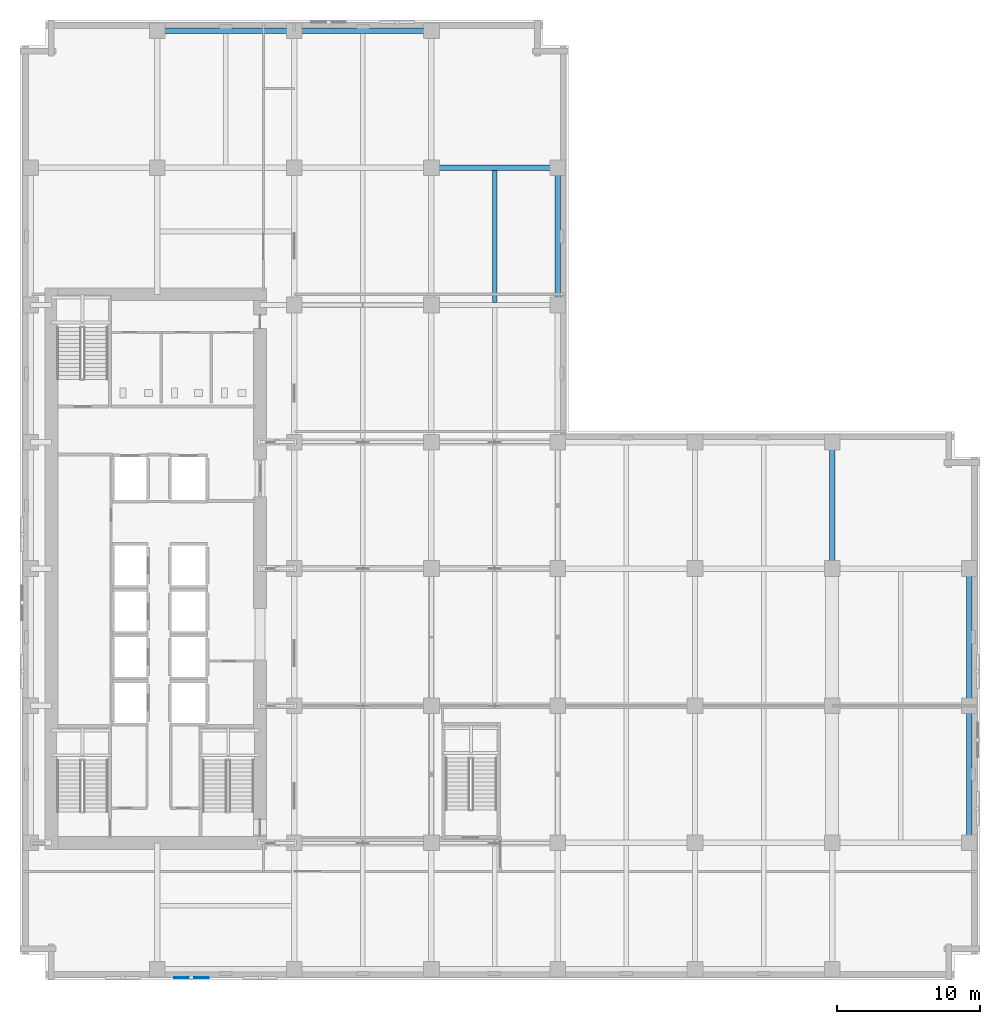
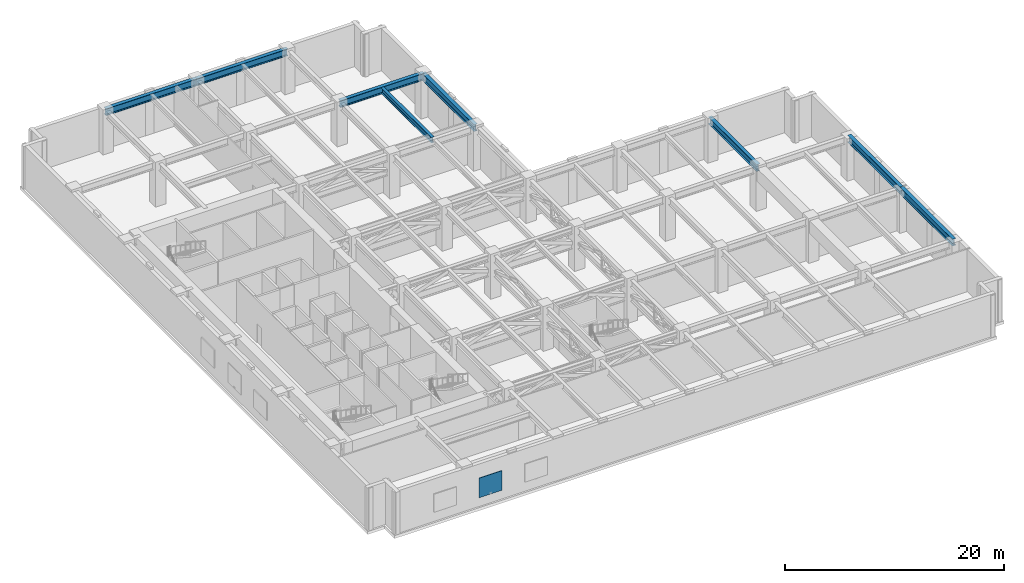
# One storey, part 9 of 22: 8 beams, 1 plate.
"""IFC4 building model written with IfcOpenShell, lengths in metres."""

import ifcopenshell
import ifcopenshell.guid

model = None  # the IFC model being written
_history = None  # IfcOwnerHistory: only IFC2X3 demands one
_inside = {}  # id of a spatial element -> (the spatial element, [elements in it])
_under = {}  # id of a project, library or spatial element -> (it, [spatial elements below it])
_declared = {}  # id of a project -> (the project, [libraries it declares])
_typed = {}  # id of a type object -> (the type object, [elements of that type])
_made_of = {}  # id of a material, layer set ... -> (it, [elements and type objects made of it])


def new_model(schema):
    """Start an empty IFC model of exactly this schema.

    Asked for "IFC4X3", IfcOpenShell would pick the latest addendum, in which some entities
    have other attributes; the version numbers below select the first issue.
    IFC2X3 requires an IfcOwnerHistory on every rooted entity: one is made here for all.
    """
    global model, _history
    if schema == "IFC4X3":
        model = ifcopenshell.file(schema_version=(4, 3, 0, 0))
    else:
        model = ifcopenshell.file(schema=schema)
    _inside.clear()
    _under.clear()
    _declared.clear()
    _typed.clear()
    _made_of.clear()
    _history = None
    if model.schema == "IFC2X3":
        org = make("IfcOrganization", Name="unknown")
        user = make(
            "IfcPersonAndOrganization",
            ThePerson=make("IfcPerson", FamilyName="unknown"),
            TheOrganization=org,
        )
        app = make(
            "IfcApplication",
            ApplicationDeveloper=org,
            Version="unknown",
            ApplicationFullName="unknown",
            ApplicationIdentifier="unknown",
        )
        _history = make(
            "IfcOwnerHistory",
            OwningUser=user,
            OwningApplication=app,
            ChangeAction="ADDED",
            CreationDate=0,
        )
    return model


def make(cls, **values):
    """One entity of the class cls with the attributes given. An attribute that is None is left unset."""
    return model.create_entity(
        cls, **{name: value for name, value in values.items() if value is not None}
    )


def rooted(cls, **values):
    """An entity with a GlobalId (a new one), such as an element, a storey or a relation."""
    return make(cls, GlobalId=ifcopenshell.guid.new(), OwnerHistory=_history, **values)


def si_unit(unit_type, name, prefix=None):
    """IfcSIUnit, for example si_unit("LENGTHUNIT", "METRE", prefix="MILLI")."""
    return make("IfcSIUnit", UnitType=unit_type, Prefix=prefix, Name=name)


def assignment(units):
    """IfcUnitAssignment: the units of a project."""
    return None if units is None else make("IfcUnitAssignment", Units=units)


def point(xyz):
    """IfcCartesianPoint."""
    return None if xyz is None else make("IfcCartesianPoint", Coordinates=xyz)


def direction(xyz):
    """IfcDirection."""
    return None if xyz is None else make("IfcDirection", DirectionRatios=xyz)


def frame(location, z_axis=None, x_axis=None):
    """IfcAxis2Placement3D, a coordinate frame: its origin and axes. An axis left out is left unset."""
    return make(
        "IfcAxis2Placement3D",
        Location=point(location),
        Axis=direction(z_axis),
        RefDirection=direction(x_axis),
    )


def frame_2d(location, x_axis=None):
    """IfcAxis2Placement2D, a coordinate frame in the plane: its origin and x axis."""
    return make(
        "IfcAxis2Placement2D", Location=point(location), RefDirection=direction(x_axis)
    )


def origin():
    """The frame at (0, 0, 0) with its axes left unset."""
    return frame((0.0, 0.0, 0.0))


def origin_2d():
    """The frame at (0, 0) in the plane with its x axis left unset."""
    return frame_2d((0.0, 0.0))


def place(relative_to, where):
    """IfcLocalPlacement: puts the frame where relative to a parent placement (None: the world)."""
    return make(
        "IfcLocalPlacement", PlacementRelTo=relative_to, RelativePlacement=where
    )


def context(
    kind, dimensions, precision=None, world=None, true_north=None, identifier=None
):
    """IfcGeometricRepresentationContext, for example the 3D "Model" context."""
    return make(
        "IfcGeometricRepresentationContext",
        ContextIdentifier=identifier,
        ContextType=kind,
        CoordinateSpaceDimension=dimensions,
        Precision=precision,
        WorldCoordinateSystem=world,
        TrueNorth=true_north,
    )


def subcontext(parent, identifier, kind, view, scale=None):
    """IfcGeometricRepresentationSubContext, for example "Body" below "Model"."""
    return make(
        "IfcGeometricRepresentationSubContext",
        ContextIdentifier=identifier,
        ContextType=kind,
        ParentContext=parent,
        TargetScale=scale,
        TargetView=view,
    )


def project(units=None, contexts=None):
    """IfcProject with its units and contexts."""
    return rooted(
        "IfcProject",
        Name="project",
        RepresentationContexts=contexts,
        UnitsInContext=assignment(units),
    )


def spatial(cls, under=None, at=None, **own):
    """A site, building, storey or space (cls), placed at a placement, below another one or the project."""
    s = rooted(cls, ObjectPlacement=at, **own)
    if under is not None:
        _under.setdefault(under.id(), (under, []))[1].append(s)
    return s


def profile(cls, at=None, kind="AREA", **sizes):
    """A parametric profile (cls). Its sizes go by their IFC names, for example OverallWidth=200.0."""
    return make(cls, ProfileType=kind, Position=at, **sizes)


def rectangle(**sizes):
    """IfcRectangleProfileDef."""
    return profile("IfcRectangleProfileDef", **sizes)


def i_section(**sizes):
    """IfcIShapeProfileDef."""
    return profile("IfcIShapeProfileDef", **sizes)


def extrude(swept, where, along, depth):
    """IfcExtrudedAreaSolid: the profile swept, set in the frame where, extruded along a direction by depth."""
    return make(
        "IfcExtrudedAreaSolid",
        SweptArea=swept,
        Position=where,
        ExtrudedDirection=direction(along),
        Depth=depth,
    )


def shape(context_of_items, identifier, shape_type, items):
    """IfcShapeRepresentation: the items that make up one representation, for example the "Body"."""
    return make(
        "IfcShapeRepresentation",
        ContextOfItems=context_of_items,
        RepresentationIdentifier=identifier,
        RepresentationType=shape_type,
        Items=items,
    )


def material(Name=None, Category=None):
    """IfcMaterial."""
    return make("IfcMaterial", Name=Name, Category=Category)


def layer(
    of_material, thickness, ventilated=None, Name=None, Category=None, Priority=None
):
    """IfcMaterialLayer: one layer of a wall or slab, of a material (None: an air gap)."""
    return make(
        "IfcMaterialLayer",
        Material=of_material,
        LayerThickness=thickness,
        IsVentilated=ventilated,
        Name=Name,
        Category=Category,
        Priority=Priority,
    )


def layer_set(layers, Name=None):
    """IfcMaterialLayerSet."""
    return make("IfcMaterialLayerSet", MaterialLayers=layers, LayerSetName=Name)


def material_profile(
    of_material, cross_section, Name=None, Category=None, Priority=None
):
    """IfcMaterialProfile: a cross section and its material."""
    return make(
        "IfcMaterialProfile",
        Name=Name,
        Material=of_material,
        Profile=cross_section,
        Priority=Priority,
        Category=Category,
    )


def profile_set(profiles, Name=None, composite=None):
    """IfcMaterialProfileSet."""
    return make(
        "IfcMaterialProfileSet",
        Name=Name,
        MaterialProfiles=profiles,
        CompositeProfile=composite,
    )


def made_of(thing, what):
    """Note that an element or type object is made of a material, layer set ...; save() writes the relation."""
    if what is not None:
        _made_of.setdefault(what.id(), (what, []))[1].append(thing)
    return thing


def type_object(cls, material=None, **own):
    """A type object (cls), such as IfcWallType, which elements share."""
    return made_of(rooted(cls, **own), material)


def element(
    cls,
    number,
    at=None,
    inside=None,
    cuts=None,
    type_object=None,
    material=None,
    context=None,
    identifier="Body",
    shape_type=None,
    held_by="IfcProductDefinitionShape",
    body=None,
    shapes=None,
    **own,
):
    """One element of the class cls, such as IfcWall. Its Tag is "e" and its number.

    at: its placement. inside: the storey or other place that contains it. cuts: it is an
    opening in that element (IfcRelVoidsElement). A single representation is given by context,
    identifier, shape_type and body (its items); several are given by shapes. held_by: the class
    of the entity that holds the representations. save() writes the other relations.
    """
    e = rooted(cls, Tag="e%d" % number, ObjectPlacement=at, **own)
    if body is not None:
        shapes = [shape(context, identifier, shape_type, body)]
    if shapes is not None:
        e.Representation = make(held_by, Representations=shapes)
    if inside is not None:
        _inside.setdefault(inside.id(), (inside, []))[1].append(e)
    if cuts is not None:
        rooted(
            "IfcRelVoidsElement", RelatingBuildingElement=cuts, RelatedOpeningElement=e
        )
    if type_object is not None:
        _typed.setdefault(type_object.id(), (type_object, []))[1].append(e)
    return made_of(e, material)


def aggregate(whole, parts):
    """IfcRelAggregates: a whole, such as a stair, and the parts it consists of."""
    return rooted("IfcRelAggregates", RelatingObject=whole, RelatedObjects=parts)


def save(model, path):
    """Write the relations noted so far, then the file.

    IfcRelAggregates (storeys below a building ...), IfcRelContainedInSpatialStructure (elements
    in a storey), IfcRelDefinesByType, IfcRelAssociatesMaterial and IfcRelDeclares: one each for
    every whole, place, type object, material and project.
    """
    for whole, parts in _under.values():
        aggregate(whole, parts)
    for where, things in _inside.values():
        rooted(
            "IfcRelContainedInSpatialStructure",
            RelatedElements=things,
            RelatingStructure=where,
        )
    for kind, things in _typed.values():
        rooted("IfcRelDefinesByType", RelatedObjects=things, RelatingType=kind)
    for what, things in _made_of.values():
        rooted("IfcRelAssociatesMaterial", RelatedObjects=things, RelatingMaterial=what)
    for by, libraries in _declared.values():
        rooted("IfcRelDeclares", RelatingContext=by, RelatedDefinitions=libraries)
    model.write(path)


model = new_model("IFC4")

# Units and contexts
model_context = context("Model", 3, precision=1e-05, world=origin(), true_north=direction((0.0, 1.0)))
body_context = subcontext(model_context, "Body", "Model", "MODEL_VIEW")
ifc_project = project(units=[si_unit("LENGTHUNIT", "METRE"), si_unit("AREAUNIT", "SQUARE_METRE"), si_unit("VOLUMEUNIT", "CUBIC_METRE"), si_unit("PLANEANGLEUNIT", "RADIAN"), si_unit("MASSUNIT", "GRAM", prefix="KILO")], contexts=[model_context])

# Site, building, storey
site_placement = place(None, origin())
site = spatial("IfcSite", under=ifc_project, at=site_placement, CompositionType="ELEMENT")
building_placement = place(site_placement, origin())
building = spatial("IfcBuilding", under=site, at=building_placement, Name="Norrvale University Quadrangle", CompositionType="ELEMENT")
storey_placement = place(building_placement, frame((0.0, 0.0, 96.39990234375)))
storey = spatial("IfcBuildingStorey", under=building, at=storey_placement, Name="L24", CompositionType="ELEMENT", Elevation=96.39990234375)

# Beams
ifc_material_1 = material(Name="Steel 350W", Category="steel")
ifc_material_profile_1 = material_profile(ifc_material_1, i_section(OverallWidth=0.324951171875, OverallDepth=0.615966796875, WebThickness=0.013916015625, FlangeThickness=0.021484375, FilletRadius=0.01611328125, at=origin_2d()), Name="Steel 350W")
ifc_profile_set_1 = profile_set([ifc_material_profile_1], Name="Steel 350W")
beam_type_1 = type_object("IfcBeamType", Name="Beam Belt W610x174", PredefinedType="BEAM", material=ifc_profile_set_1)
beam_1_placement = place(storey_placement, frame((33.22509765625, 47.4404296875, 4.43212890625), z_axis=(0.0, 1.0, 0.0), x_axis=(-1.0, 0.0, 0.0)))
element("IfcBeam", 1, at=beam_1_placement, inside=storey, type_object=beam_type_1, Name="Beam Belt W610x174 BM-L24-J089", PredefinedType="BEAM", context=body_context, shape_type="SweptSolid", body=[
    extrude(i_section(OverallWidth=0.324951171875, OverallDepth=0.615966796875, WebThickness=0.013916015625, FlangeThickness=0.021484375, FilletRadius=0.01611328125, at=origin_2d()), origin(), (0.0, 0.0, 1.0), 9.218994140625),
])
ifc_material_profile_2 = material_profile(ifc_material_1, i_section(OverallWidth=0.381103515625, OverallDepth=0.77294921875, WebThickness=0.0166015625, FlangeThickness=0.027587890625, FilletRadius=0.02001953125, at=origin_2d()), Name="Steel 350W")
ifc_profile_set_2 = profile_set([ifc_material_profile_2], Name="Steel 350W")
beam_type_2 = type_object("IfcBeamType", Name="Beam Outrig W760x257", PredefinedType="BEAM", material=ifc_profile_set_2)
beam_2_placement = place(storey_placement, frame((28.800048828125, 56.85009765625, 4.353515625), z_axis=(1.0, 0.0, 0.0), x_axis=(0.0, 1.0, 0.0)))
element("IfcBeam", 2, at=beam_2_placement, inside=storey, type_object=beam_type_2, Name="Beam Outrig W760x257 BM-L24-GX030", PredefinedType="BEAM", context=body_context, shape_type="SweptSolid", body=[
    extrude(i_section(OverallWidth=0.381103515625, OverallDepth=0.77294921875, WebThickness=0.0166015625, FlangeThickness=0.027587890625, FilletRadius=0.02001953125, at=origin_2d()), origin(), (0.0, 0.0, 1.0), 8.849853515625),
])
beam_3_placement = place(storey_placement, frame((9.60009765625, 66.449951171875, 4.353515625), z_axis=(1.0, 0.0, 0.0), x_axis=(0.0, 1.0, 0.0)))
element("IfcBeam", 3, at=beam_3_placement, inside=storey, type_object=beam_type_2, Name="Beam Outrig W760x257 BM-L24-GX031", PredefinedType="BEAM", context=body_context, shape_type="SweptSolid", body=[
    extrude(i_section(OverallWidth=0.381103515625, OverallDepth=0.77294921875, WebThickness=0.0166015625, FlangeThickness=0.027587890625, FilletRadius=0.02001953125, at=origin_2d()), origin(), (0.0, 0.0, 1.0), 9.599853515625),
])
for number, where, z_axis, x_axis, name in (
    (4, (19.199951171875, 66.449951171875, 4.353515625), (1.0, 0.0, 0.0), (0.0, 1.0, 0.0), "Beam Outrig W760x257 BM-L24-GX032"),
    (5, (37.64990234375, 47.25, 4.353515625), (0.0, 1.0, 0.0), (-1.0, 0.0, 0.0), "Beam Outrig W760x257 BM-L24-GY058"),
):
    element("IfcBeam", number, at=place(storey_placement, frame(where, z_axis=z_axis, x_axis=x_axis)), inside=storey, type_object=beam_type_2, Name=name, PredefinedType="BEAM", context=body_context, shape_type="SweptSolid", body=[
        extrude(i_section(OverallWidth=0.381103515625, OverallDepth=0.77294921875, WebThickness=0.0166015625, FlangeThickness=0.027587890625, FilletRadius=0.02001953125, at=origin_2d()), origin(), (0.0, 0.0, 1.0), 9.60009765625),
    ])
beam_4_placement = place(storey_placement, frame((56.85009765625, 28.800048828125, 4.353515625), z_axis=(0.0, 1.0, 0.0), x_axis=(-1.0, 0.0, 0.0)))
element("IfcBeam", 6, at=beam_4_placement, inside=storey, type_object=beam_type_2, Name="Beam Outrig W760x257 BM-L24-GY064", PredefinedType="BEAM", context=body_context, shape_type="SweptSolid", body=[
    extrude(i_section(OverallWidth=0.381103515625, OverallDepth=0.77294921875, WebThickness=0.0166015625, FlangeThickness=0.027587890625, FilletRadius=0.02001953125, at=origin_2d()), origin(), (0.0, 0.0, 1.0), 8.849853515625),
])
beam_5_placement = place(storey_placement, frame((66.449951171875, 9.60009765625, 4.3134765625), z_axis=(0.0, 1.0, 0.0), x_axis=(-1.0, 0.0, 0.0)))
element("IfcBeam", 7, at=beam_5_placement, inside=storey, type_object=beam_type_2, Name="Beam Outrig W760x257 BM-L24-GY065", PredefinedType="BEAM", context=body_context, shape_type="SweptSolid", body=[
    extrude(i_section(OverallWidth=0.381103515625, OverallDepth=0.77294921875, WebThickness=0.0166015625, FlangeThickness=0.027587890625, FilletRadius=0.02001953125, at=origin_2d()), origin(), (0.0, 0.0, 1.0), 9.599853515625),
])
beam_6_placement = place(storey_placement, frame((66.449951171875, 19.199951171875, 4.3134765625), z_axis=(0.0, 1.0, 0.0), x_axis=(-1.0, 0.0, 0.0)))
element("IfcBeam", 8, at=beam_6_placement, inside=storey, type_object=beam_type_2, Name="Beam Outrig W760x257 BM-L24-GY066", PredefinedType="BEAM", context=body_context, shape_type="SweptSolid", body=[
    extrude(i_section(OverallWidth=0.381103515625, OverallDepth=0.77294921875, WebThickness=0.0166015625, FlangeThickness=0.027587890625, FilletRadius=0.02001953125, at=origin_2d()), origin(), (0.0, 0.0, 1.0), 9.60009765625),
])

# Plate
ifc_material_2 = material(Name="Perforated Acoustic Aluminium Screen", Category="aluminium")
ifc_layer = layer(ifc_material_2, 0.06005859375, Name="Perforated Acoustic Aluminium Screen")
ifc_layer_set = layer_set([ifc_layer], Name="Perforated Acoustic Aluminium Screen")
plate_type = type_object("IfcPlateType", Name="Plate Crown Screen 60", PredefinedType="USERDEFINED", material=ifc_layer_set)
plate_placement = place(storey_placement, frame((12.0, 0.159912109375, 1.0), z_axis=(0.0, 0.0, 1.0), x_axis=(1.0, 0.0, 0.0)))
element("IfcPlate", 9, at=plate_placement, inside=storey, type_object=plate_type, Name="Acoustic Louvered Crown Screen 001", ObjectType="CROWN SCREEN", PredefinedType="USERDEFINED", context=body_context, shape_type="SweptSolid", body=[
    extrude(rectangle(XDim=2.39990234375, YDim=0.06005859375, at=origin_2d()), origin(), (0.0, 0.0, 1.0), 2.199951171875),
])

save(model, "model.ifc")
